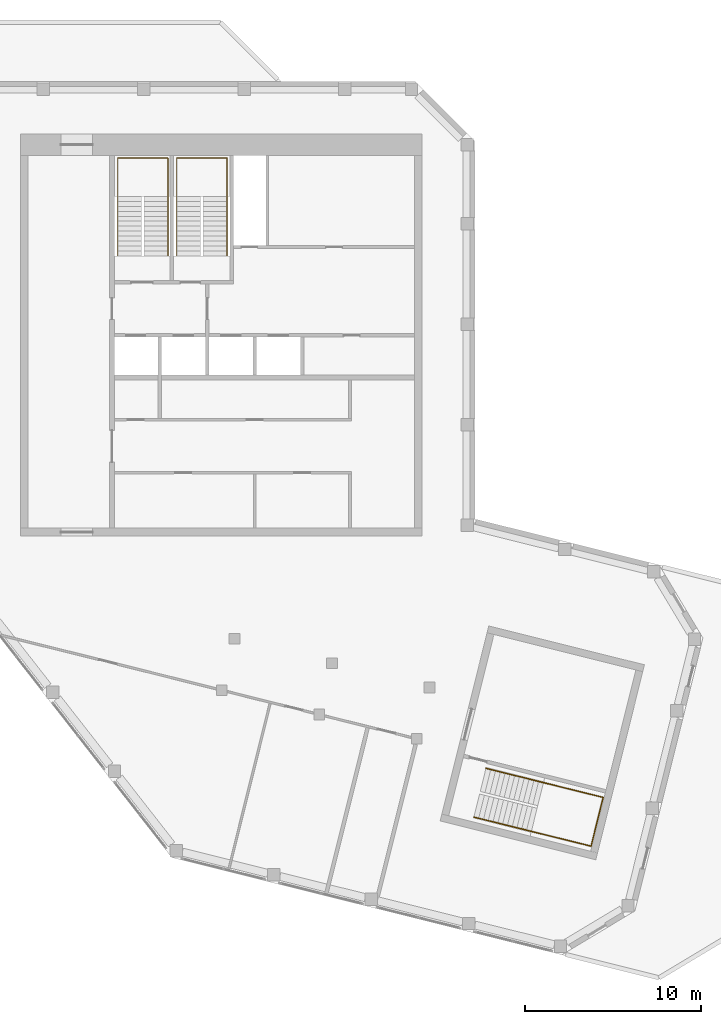
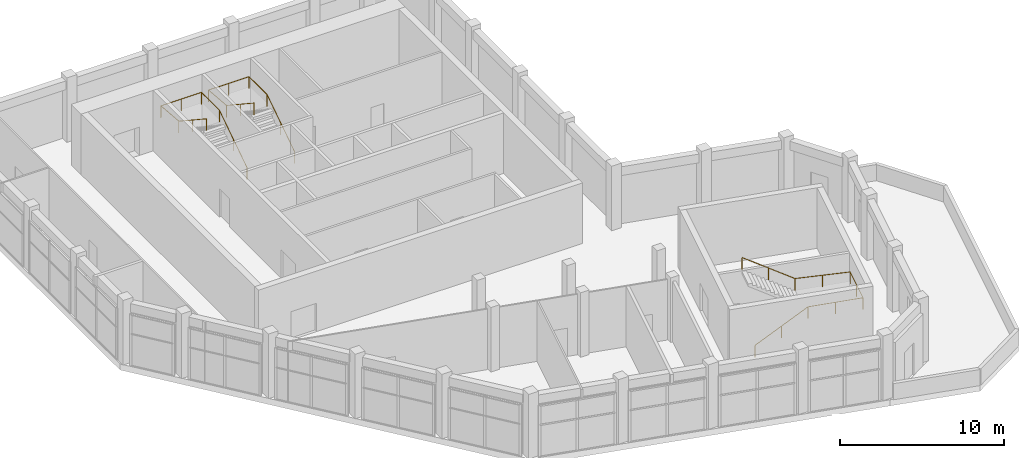
# One storey, part 10 of 10: 3 railings.
"""IFC4 building model written with IfcOpenShell, lengths in metres."""

import ifcopenshell
import ifcopenshell.guid

model = None  # the IFC model being written
_history = None  # IfcOwnerHistory: only IFC2X3 demands one
_inside = {}  # id of a spatial element -> (the spatial element, [elements in it])
_under = {}  # id of a project, library or spatial element -> (it, [spatial elements below it])
_declared = {}  # id of a project -> (the project, [libraries it declares])
_typed = {}  # id of a type object -> (the type object, [elements of that type])
_made_of = {}  # id of a material, layer set ... -> (it, [elements and type objects made of it])


def new_model(schema):
    """Start an empty IFC model of exactly this schema.

    Asked for "IFC4X3", IfcOpenShell would pick the latest addendum, in which some entities
    have other attributes; the version numbers below select the first issue.
    IFC2X3 requires an IfcOwnerHistory on every rooted entity: one is made here for all.
    """
    global model, _history
    if schema == "IFC4X3":
        model = ifcopenshell.file(schema_version=(4, 3, 0, 0))
    else:
        model = ifcopenshell.file(schema=schema)
    _inside.clear()
    _under.clear()
    _declared.clear()
    _typed.clear()
    _made_of.clear()
    _history = None
    if model.schema == "IFC2X3":
        org = make("IfcOrganization", Name="unknown")
        user = make(
            "IfcPersonAndOrganization",
            ThePerson=make("IfcPerson", FamilyName="unknown"),
            TheOrganization=org,
        )
        app = make(
            "IfcApplication",
            ApplicationDeveloper=org,
            Version="unknown",
            ApplicationFullName="unknown",
            ApplicationIdentifier="unknown",
        )
        _history = make(
            "IfcOwnerHistory",
            OwningUser=user,
            OwningApplication=app,
            ChangeAction="ADDED",
            CreationDate=0,
        )
    return model


def make(cls, **values):
    """One entity of the class cls with the attributes given. An attribute that is None is left unset."""
    return model.create_entity(
        cls, **{name: value for name, value in values.items() if value is not None}
    )


def rooted(cls, **values):
    """An entity with a GlobalId (a new one), such as an element, a storey or a relation."""
    return make(cls, GlobalId=ifcopenshell.guid.new(), OwnerHistory=_history, **values)


def si_unit(unit_type, name, prefix=None):
    """IfcSIUnit, for example si_unit("LENGTHUNIT", "METRE", prefix="MILLI")."""
    return make("IfcSIUnit", UnitType=unit_type, Prefix=prefix, Name=name)


def assignment(units):
    """IfcUnitAssignment: the units of a project."""
    return None if units is None else make("IfcUnitAssignment", Units=units)


def point(xyz):
    """IfcCartesianPoint."""
    return None if xyz is None else make("IfcCartesianPoint", Coordinates=xyz)


def direction(xyz):
    """IfcDirection."""
    return None if xyz is None else make("IfcDirection", DirectionRatios=xyz)


def frame(location, z_axis=None, x_axis=None):
    """IfcAxis2Placement3D, a coordinate frame: its origin and axes. An axis left out is left unset."""
    return make(
        "IfcAxis2Placement3D",
        Location=point(location),
        Axis=direction(z_axis),
        RefDirection=direction(x_axis),
    )


def frame_2d(location, x_axis=None):
    """IfcAxis2Placement2D, a coordinate frame in the plane: its origin and x axis."""
    return make(
        "IfcAxis2Placement2D", Location=point(location), RefDirection=direction(x_axis)
    )


def origin():
    """The frame at (0, 0, 0) with its axes left unset."""
    return frame((0.0, 0.0, 0.0))


def origin_2d():
    """The frame at (0, 0) in the plane with its x axis left unset."""
    return frame_2d((0.0, 0.0))


def place(relative_to, where):
    """IfcLocalPlacement: puts the frame where relative to a parent placement (None: the world)."""
    return make(
        "IfcLocalPlacement", PlacementRelTo=relative_to, RelativePlacement=where
    )


def context(
    kind, dimensions, precision=None, world=None, true_north=None, identifier=None
):
    """IfcGeometricRepresentationContext, for example the 3D "Model" context."""
    return make(
        "IfcGeometricRepresentationContext",
        ContextIdentifier=identifier,
        ContextType=kind,
        CoordinateSpaceDimension=dimensions,
        Precision=precision,
        WorldCoordinateSystem=world,
        TrueNorth=true_north,
    )


def subcontext(parent, identifier, kind, view, scale=None):
    """IfcGeometricRepresentationSubContext, for example "Body" below "Model"."""
    return make(
        "IfcGeometricRepresentationSubContext",
        ContextIdentifier=identifier,
        ContextType=kind,
        ParentContext=parent,
        TargetScale=scale,
        TargetView=view,
    )


def project(units=None, contexts=None):
    """IfcProject with its units and contexts."""
    return rooted(
        "IfcProject",
        Name="project",
        RepresentationContexts=contexts,
        UnitsInContext=assignment(units),
    )


def spatial(cls, under=None, at=None, **own):
    """A site, building, storey or space (cls), placed at a placement, below another one or the project."""
    s = rooted(cls, ObjectPlacement=at, **own)
    if under is not None:
        _under.setdefault(under.id(), (under, []))[1].append(s)
    return s


def profile(cls, at=None, kind="AREA", **sizes):
    """A parametric profile (cls). Its sizes go by their IFC names, for example OverallWidth=200.0."""
    return make(cls, ProfileType=kind, Position=at, **sizes)


def circle(**sizes):
    """IfcCircleProfileDef."""
    return profile("IfcCircleProfileDef", **sizes)


def extrude(swept, where, along, depth):
    """IfcExtrudedAreaSolid: the profile swept, set in the frame where, extruded along a direction by depth."""
    return make(
        "IfcExtrudedAreaSolid",
        SweptArea=swept,
        Position=where,
        ExtrudedDirection=direction(along),
        Depth=depth,
    )


def shape(context_of_items, identifier, shape_type, items):
    """IfcShapeRepresentation: the items that make up one representation, for example the "Body"."""
    return make(
        "IfcShapeRepresentation",
        ContextOfItems=context_of_items,
        RepresentationIdentifier=identifier,
        RepresentationType=shape_type,
        Items=items,
    )


def material(Name=None, Category=None):
    """IfcMaterial."""
    return make("IfcMaterial", Name=Name, Category=Category)


def made_of(thing, what):
    """Note that an element or type object is made of a material, layer set ...; save() writes the relation."""
    if what is not None:
        _made_of.setdefault(what.id(), (what, []))[1].append(thing)
    return thing


def type_object(cls, material=None, **own):
    """A type object (cls), such as IfcWallType, which elements share."""
    return made_of(rooted(cls, **own), material)


def element(
    cls,
    number,
    at=None,
    inside=None,
    cuts=None,
    type_object=None,
    material=None,
    context=None,
    identifier="Body",
    shape_type=None,
    held_by="IfcProductDefinitionShape",
    body=None,
    shapes=None,
    **own,
):
    """One element of the class cls, such as IfcWall. Its Tag is "e" and its number.

    at: its placement. inside: the storey or other place that contains it. cuts: it is an
    opening in that element (IfcRelVoidsElement). A single representation is given by context,
    identifier, shape_type and body (its items); several are given by shapes. held_by: the class
    of the entity that holds the representations. save() writes the other relations.
    """
    e = rooted(cls, Tag="e%d" % number, ObjectPlacement=at, **own)
    if body is not None:
        shapes = [shape(context, identifier, shape_type, body)]
    if shapes is not None:
        e.Representation = make(held_by, Representations=shapes)
    if inside is not None:
        _inside.setdefault(inside.id(), (inside, []))[1].append(e)
    if cuts is not None:
        rooted(
            "IfcRelVoidsElement", RelatingBuildingElement=cuts, RelatedOpeningElement=e
        )
    if type_object is not None:
        _typed.setdefault(type_object.id(), (type_object, []))[1].append(e)
    return made_of(e, material)


def aggregate(whole, parts):
    """IfcRelAggregates: a whole, such as a stair, and the parts it consists of."""
    return rooted("IfcRelAggregates", RelatingObject=whole, RelatedObjects=parts)


def save(model, path):
    """Write the relations noted so far, then the file.

    IfcRelAggregates (storeys below a building ...), IfcRelContainedInSpatialStructure (elements
    in a storey), IfcRelDefinesByType, IfcRelAssociatesMaterial and IfcRelDeclares: one each for
    every whole, place, type object, material and project.
    """
    for whole, parts in _under.values():
        aggregate(whole, parts)
    for where, things in _inside.values():
        rooted(
            "IfcRelContainedInSpatialStructure",
            RelatedElements=things,
            RelatingStructure=where,
        )
    for kind, things in _typed.values():
        rooted("IfcRelDefinesByType", RelatedObjects=things, RelatingType=kind)
    for what, things in _made_of.values():
        rooted("IfcRelAssociatesMaterial", RelatedObjects=things, RelatingMaterial=what)
    for by, libraries in _declared.values():
        rooted("IfcRelDeclares", RelatingContext=by, RelatedDefinitions=libraries)
    model.write(path)


model = new_model("IFC4")

# Units and contexts
model_context = context("Model", 3, precision=1e-05, world=origin(), true_north=direction((0.0, 1.0)))
body_context = subcontext(model_context, "Body", "Model", "MODEL_VIEW")
ifc_project = project(units=[si_unit("LENGTHUNIT", "METRE"), si_unit("AREAUNIT", "SQUARE_METRE"), si_unit("VOLUMEUNIT", "CUBIC_METRE"), si_unit("PLANEANGLEUNIT", "RADIAN"), si_unit("MASSUNIT", "GRAM", prefix="KILO")], contexts=[model_context])

# Site, building, storey
site_placement = place(None, origin())
site = spatial("IfcSite", under=ifc_project, at=site_placement, CompositionType="ELEMENT")
building_placement = place(site_placement, origin())
building = spatial("IfcBuilding", under=site, at=building_placement, Name="Meshkara Civic Tower", CompositionType="ELEMENT")
storey_placement = place(building_placement, frame((0.0, 0.0, 419.39990234375)))
storey = spatial("IfcBuildingStorey", under=building, at=storey_placement, Name="L96 Crown", CompositionType="ELEMENT", Elevation=419.39990234375)

# Railings
ifc_material = material(Name="Steel handrail", Category="steel")
railing_type = type_object("IfcRailingType", Name="Stair handrail 900", PredefinedType="HANDRAIL", material=ifc_material)
railing_1_placement = place(storey_placement, frame((16.375, 30.0, 0.184814453125)))
element("IfcRailing", 1, at=railing_1_placement, inside=storey, type_object=railing_type, Name="L96 Crown ST1 stair handrail 1", PredefinedType="HANDRAIL", context=body_context, shape_type="SweptSolid", body=[
    extrude(circle(Radius=0.02392578125, at=origin_2d()), frame((0.0, 0.0, 0.8759765625), z_axis=(0.0, 0.834876476806, 0.550437342915), x_axis=(-1.0, 0.0, 0.0)), (0.0, 0.0, 1.0), 4.024658203125),
    extrude(circle(Radius=0.02392578125, at=origin_2d()), frame((0.0, 3.360107421875, 3.09130859375), z_axis=(0.0, 1.0, 0.0), x_axis=(-1.0, 0.0, 0.0)), (0.0, 0.0, 1.0), 2.18994140625),
    extrude(circle(Radius=0.02392578125, at=origin_2d()), frame((0.0, 5.550048828125, 3.09130859375), z_axis=(-1.0, 0.0, 0.0), x_axis=(0.0, -1.0, 0.0)), (0.0, 0.0, 1.0), 2.85009765625),
    extrude(circle(Radius=0.02392578125, at=origin_2d()), frame((-2.85009765625, 5.550048828125, 3.09130859375), z_axis=(0.0, -0.996467171765, 0.083983186383), x_axis=(1.0, 0.0, 0.0)), (0.0, 0.0, 1.0), 2.19775390625),
    extrude(circle(Radius=0.02392578125, at=origin_2d()), frame((-2.85009765625, 3.360107421875, 3.27587890625), z_axis=(0.0, -0.834876476806, 0.550437342915), x_axis=(1.0, 0.0, 0.0)), (0.0, 0.0, 1.0), 4.024658203125),
    extrude(circle(Radius=0.02099609375, at=origin_2d()), origin(), (0.0, 0.0, 1.0), 0.851806640625),
    extrude(circle(Radius=0.02099609375, at=origin_2d()), frame((0.0, 1.68017578125, 1.107666015625)), (0.0, 0.0, 1.0), 0.851806640625),
    extrude(circle(Radius=0.02099609375, at=origin_2d()), frame((0.0, 3.360107421875, 2.21533203125)), (0.0, 0.0, 1.0), 0.851806640625),
    extrude(circle(Radius=0.02099609375, at=origin_2d()), frame((0.0, 5.550048828125, 2.21533203125)), (0.0, 0.0, 1.0), 0.851806640625),
    extrude(circle(Radius=0.02099609375, at=origin_2d()), frame((-1.425048828125, 5.550048828125, 2.21533203125)), (0.0, 0.0, 1.0), 0.851806640625),
    extrude(circle(Radius=0.02099609375, at=origin_2d()), frame((-2.85009765625, 5.550048828125, 2.21533203125)), (0.0, 0.0, 1.0), 0.851806640625),
    extrude(circle(Radius=0.02099609375, at=origin_2d()), frame((-2.85009765625, 3.360107421875, 2.39990234375)), (0.0, 0.0, 1.0), 0.851806640625),
    extrude(circle(Radius=0.02099609375, at=origin_2d()), frame((-2.85009765625, 1.68017578125, 3.507568359375)), (0.0, 0.0, 1.0), 0.851806640625),
    extrude(circle(Radius=0.02099609375, at=origin_2d()), frame((-2.85009765625, 0.0, 4.615234375)), (0.0, 0.0, 1.0), 0.851806640625),
])
railing_2_placement = place(storey_placement, frame((19.72509765625, 30.0, 0.184814453125)))
element("IfcRailing", 2, at=railing_2_placement, inside=storey, type_object=railing_type, Name="L96 Crown ST2 stair handrail 1", PredefinedType="HANDRAIL", context=body_context, shape_type="SweptSolid", body=[
    extrude(circle(Radius=0.02392578125, at=origin_2d()), frame((0.0, 0.0, 0.8759765625), z_axis=(0.0, 0.834876476806, 0.550437342915), x_axis=(-1.0, 0.0, 0.0)), (0.0, 0.0, 1.0), 4.024658203125),
    extrude(circle(Radius=0.02392578125, at=origin_2d()), frame((0.0, 3.360107421875, 3.09130859375), z_axis=(0.0, 1.0, 0.0), x_axis=(-1.0, 0.0, 0.0)), (0.0, 0.0, 1.0), 2.18994140625),
    extrude(circle(Radius=0.02392578125, at=origin_2d()), frame((0.0, 5.550048828125, 3.09130859375), z_axis=(-1.0, 0.0, 0.0), x_axis=(0.0, -1.0, 0.0)), (0.0, 0.0, 1.0), 2.85009765625),
    extrude(circle(Radius=0.02392578125, at=origin_2d()), frame((-2.85009765625, 5.550048828125, 3.09130859375), z_axis=(0.0, -0.996467171765, 0.083983186383), x_axis=(1.0, 0.0, 0.0)), (0.0, 0.0, 1.0), 2.19775390625),
    extrude(circle(Radius=0.02392578125, at=origin_2d()), frame((-2.85009765625, 3.360107421875, 3.27587890625), z_axis=(0.0, -0.834876476806, 0.550437342915), x_axis=(1.0, 0.0, 0.0)), (0.0, 0.0, 1.0), 4.024658203125),
    extrude(circle(Radius=0.02099609375, at=origin_2d()), origin(), (0.0, 0.0, 1.0), 0.851806640625),
    extrude(circle(Radius=0.02099609375, at=origin_2d()), frame((0.0, 1.68017578125, 1.107666015625)), (0.0, 0.0, 1.0), 0.851806640625),
    extrude(circle(Radius=0.02099609375, at=origin_2d()), frame((0.0, 3.360107421875, 2.21533203125)), (0.0, 0.0, 1.0), 0.851806640625),
    extrude(circle(Radius=0.02099609375, at=origin_2d()), frame((0.0, 5.550048828125, 2.21533203125)), (0.0, 0.0, 1.0), 0.851806640625),
    extrude(circle(Radius=0.02099609375, at=origin_2d()), frame((-1.425048828125, 5.550048828125, 2.21533203125)), (0.0, 0.0, 1.0), 0.851806640625),
    extrude(circle(Radius=0.02099609375, at=origin_2d()), frame((-2.85009765625, 5.550048828125, 2.21533203125)), (0.0, 0.0, 1.0), 0.851806640625),
    extrude(circle(Radius=0.02099609375, at=origin_2d()), frame((-2.85009765625, 3.360107421875, 2.39990234375)), (0.0, 0.0, 1.0), 0.851806640625),
    extrude(circle(Radius=0.02099609375, at=origin_2d()), frame((-2.85009765625, 1.68017578125, 3.507568359375)), (0.0, 0.0, 1.0), 0.851806640625),
    extrude(circle(Radius=0.02099609375, at=origin_2d()), frame((-2.85009765625, 0.0, 4.615234375)), (0.0, 0.0, 1.0), 0.851806640625),
])
railing_3_placement = place(storey_placement, frame((33.728515625, -1.83837890625, 0.184814453125)))
element("IfcRailing", 3, at=railing_3_placement, inside=storey, type_object=railing_type, Name="L96 Crown ESB9 stair handrail 1", PredefinedType="HANDRAIL", context=body_context, shape_type="SweptSolid", body=[
    extrude(circle(Radius=0.02392578125, at=origin_2d()), frame((0.0, 0.0, 0.8759765625), z_axis=(0.810280182038, -0.201098959606, 0.550459112961), x_axis=(0.240876851384, 0.970555687463, 0.0)), (0.0, 0.0, 1.0), 4.0244140625),
    extrude(circle(Radius=0.02392578125, at=origin_2d()), frame((3.260986328125, -0.809326171875, 3.09130859375), z_axis=(0.970560779577, -0.240856333003, 0.0), x_axis=(0.240856333003, 0.970560779577, 0.0)), (0.0, 0.0, 1.0), 3.489990234375),
    extrude(circle(Radius=0.02392578125, at=origin_2d()), frame((6.648193359375, -1.64990234375, 3.09130859375), z_axis=(0.240902522416, 0.970549315951, 0.0), x_axis=(-0.970549315951, 0.240902522416, 0.0)), (0.0, 0.0, 1.0), 2.849853515625),
    extrude(circle(Radius=0.02392578125, at=origin_2d()), frame((7.334716796875, 1.115966796875, 3.09130859375), z_axis=(-0.969190025396, 0.240586020431, 0.052811565461), x_axis=(-0.240922228471, -0.970544424449, 0.0)), (0.0, 0.0, 1.0), 3.494873046875),
    extrude(circle(Radius=0.02392578125, at=origin_2d()), frame((3.947509765625, 1.956787109375, 3.27587890625), z_axis=(-0.810280182038, 0.201098959606, 0.550459112961), x_axis=(-0.240876851384, -0.970555687463, 0.0)), (0.0, 0.0, 1.0), 4.0244140625),
    extrude(circle(Radius=0.02099609375, at=origin_2d()), origin(), (0.0, 0.0, 1.0), 0.851806640625),
    extrude(circle(Radius=0.02099609375, at=origin_2d()), frame((1.63037109375, -0.40478515625, 1.107666015625)), (0.0, 0.0, 1.0), 0.851806640625),
    extrude(circle(Radius=0.02099609375, at=origin_2d()), frame((3.260986328125, -0.809326171875, 2.21533203125)), (0.0, 0.0, 1.0), 0.851806640625),
    extrude(circle(Radius=0.02099609375, at=origin_2d()), frame((4.95458984375, -1.2294921875, 2.21533203125)), (0.0, 0.0, 1.0), 0.851806640625),
    extrude(circle(Radius=0.02099609375, at=origin_2d()), frame((6.648193359375, -1.64990234375, 2.21533203125)), (0.0, 0.0, 1.0), 0.851806640625),
    extrude(circle(Radius=0.02099609375, at=origin_2d()), frame((6.991455078125, -0.26708984375, 2.21533203125)), (0.0, 0.0, 1.0), 0.851806640625),
    extrude(circle(Radius=0.02099609375, at=origin_2d()), frame((7.334716796875, 1.115966796875, 2.21533203125)), (0.0, 0.0, 1.0), 0.851806640625),
    extrude(circle(Radius=0.02099609375, at=origin_2d()), frame((5.64111328125, 1.536376953125, 2.3076171875)), (0.0, 0.0, 1.0), 0.851806640625),
    extrude(circle(Radius=0.02099609375, at=origin_2d()), frame((3.947509765625, 1.956787109375, 2.39990234375)), (0.0, 0.0, 1.0), 0.851806640625),
    extrude(circle(Radius=0.02099609375, at=origin_2d()), frame((2.31689453125, 2.361328125, 3.507568359375)), (0.0, 0.0, 1.0), 0.851806640625),
    extrude(circle(Radius=0.02099609375, at=origin_2d()), frame((0.6865234375, 2.76611328125, 4.615234375)), (0.0, 0.0, 1.0), 0.851806640625),
])

save(model, "model.ifc")
